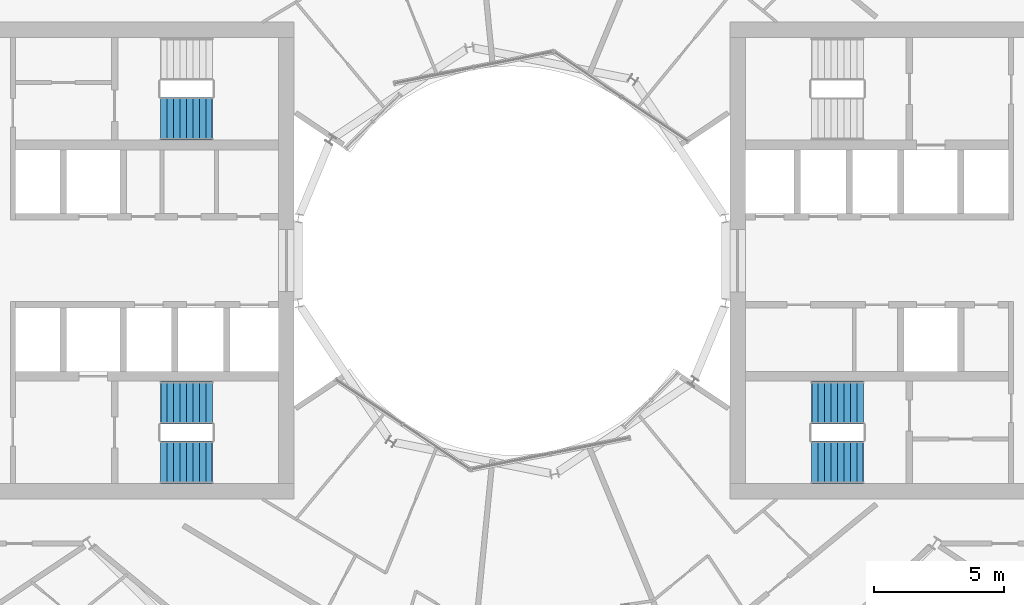
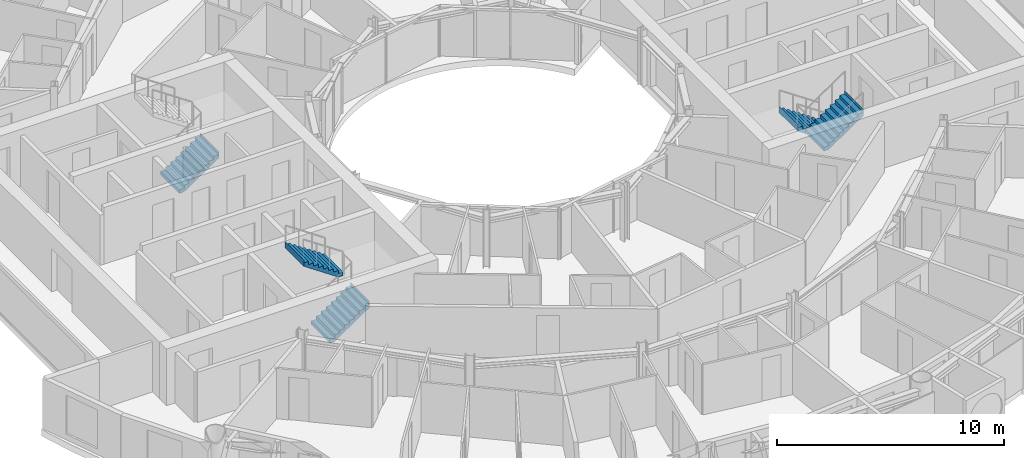
# One storey, part 25 of 28: 5 stair flights, 3 elements without a shape of their own.
"""IFC4 building model written with IfcOpenShell, lengths in metres."""

from ifc_helpers import new_model, si_unit, direction, frame, origin, place, context, subcontext, project, spatial, triangles, material, type_object, element, aggregate, save


model = new_model("IFC4")

# Units and contexts
model_context = context("Model", 3, precision=1e-05, world=origin(), true_north=direction((0.0, 1.0)))
body_context = subcontext(model_context, "Body", "Model", "MODEL_VIEW")
ifc_project = project(units=[si_unit("LENGTHUNIT", "METRE"), si_unit("AREAUNIT", "SQUARE_METRE"), si_unit("VOLUMEUNIT", "CUBIC_METRE"), si_unit("PLANEANGLEUNIT", "RADIAN"), si_unit("MASSUNIT", "GRAM", prefix="KILO")], contexts=[model_context])

# Site, building, storey
site_placement = place(None, origin())
site = spatial("IfcSite", under=ifc_project, at=site_placement, CompositionType="ELEMENT")
building_placement = place(site_placement, origin())
building = spatial("IfcBuilding", under=site, at=building_placement, Name="Maasbend Ring Residences", CompositionType="ELEMENT")
storey_placement = place(building_placement, frame((0.0, 0.0, 133.0)))
storey = spatial("IfcBuildingStorey", under=building, at=storey_placement, Name="L38", CompositionType="ELEMENT", Elevation=133.0)

# Stair, stair flights
ifc_material_1 = material(Name="Concrete C40/50", Category="concrete")
stair_type = type_object("IfcStairType", Name="CORE STAIR 18 RISERS", PredefinedType="HALF_TURN_STAIR", material=ifc_material_1)
stair_1_placement = place(storey_placement, origin())
stair_1 = element("IfcStair", 1, at=stair_1_placement, inside=storey, type_object=stair_type, Name="L38 Exit stair ST-E2", PredefinedType="HALF_TURN_STAIR")
ifc_material_2 = material(Name="Concrete C40/50", Category="concrete")
stair_flight_type = type_object("IfcStairFlightType", Name="CORE STAIR FLIGHT 1650", PredefinedType="STRAIGHT", material=ifc_material_2)
stair_flight_1_placement = place(storey_placement, frame((13.550048828125, -5.47509765625, 0.0), z_axis=(0.0, 0.0, 1.0), x_axis=(-1.0, 0.0, 0.0)))
stair_flight_1 = element("IfcStairFlight", 2, at=stair_flight_1_placement, type_object=stair_flight_type, Name="ST-E2 flight 1", NumberOfRisers=9, NumberOfTreads=8, PredefinedType="STRAIGHT", RiserHeight=0.169444444, TreadLength=0.25, context=body_context, shape_type="Tessellation", body=[
    triangles([(0.24072265625, 0.824951171875, -0.02001953125), (2.0029296875, 0.824951171875, 1.174560546875), (2.0029296875, 0.824951171875, 1.52490234375), (1.989990234375, 0.824951171875, 1.35546875), (1.75, 0.824951171875, 1.35546875), (1.75, 0.824951171875, 1.18603515625), (1.5, 0.824951171875, 1.18603515625), (1.5, 0.824951171875, 1.0166015625), (1.25, 0.824951171875, 1.0166015625), (1.25, 0.824951171875, 0.84716796875), (1.0, 0.824951171875, 0.84716796875), (1.0, 0.824951171875, 0.677734375), (0.75, 0.824951171875, 0.677734375), (0.75, 0.824951171875, 0.50830078125), (0.5, 0.824951171875, 0.50830078125), (0.5, 0.824951171875, 0.3388671875), (0.25, 0.824951171875, 0.3388671875), (0.25, 0.824951171875, 0.16943359375), (0.0, 0.824951171875, 0.16943359375), (0.0, 0.824951171875, 0.0), (-0.0029296875, 0.824951171875, 0.0), (-0.0029296875, 0.824951171875, -0.02001953125), (0.24072265625, 0.27490234375, -0.02001953125), (2.0029296875, 0.27490234375, 1.174560546875), (2.0029296875, 0.27490234375, 1.52490234375), (1.989990234375, 0.27490234375, 1.35546875), (1.75, 0.27490234375, 1.35546875), (1.75, 0.27490234375, 1.18603515625), (1.5, 0.27490234375, 1.18603515625), (1.5, 0.27490234375, 1.0166015625), (1.25, 0.27490234375, 1.0166015625), (1.25, 0.27490234375, 0.84716796875), (1.0, 0.27490234375, 0.84716796875), (1.0, 0.27490234375, 0.677734375), (0.75, 0.27490234375, 0.677734375), (0.75, 0.27490234375, 0.50830078125), (0.5, 0.27490234375, 0.50830078125), (0.5, 0.27490234375, 0.3388671875), (0.25, 0.27490234375, 0.3388671875), (0.25, 0.27490234375, 0.16943359375), (0.0, 0.27490234375, 0.16943359375), (0.0, 0.27490234375, 0.0), (-0.0029296875, 0.27490234375, 0.0), (-0.0029296875, 0.27490234375, -0.02001953125), (0.24072265625, -0.27490234375, -0.02001953125), (2.0029296875, -0.27490234375, 1.174560546875), (2.0029296875, -0.27490234375, 1.52490234375), (1.989990234375, -0.27490234375, 1.35546875), (1.75, -0.27490234375, 1.35546875), (1.75, -0.27490234375, 1.18603515625), (1.5, -0.27490234375, 1.18603515625), (1.5, -0.27490234375, 1.0166015625), (1.25, -0.27490234375, 1.0166015625), (1.25, -0.27490234375, 0.84716796875), (1.0, -0.27490234375, 0.84716796875), (1.0, -0.27490234375, 0.677734375), (0.75, -0.27490234375, 0.677734375), (0.75, -0.27490234375, 0.50830078125), (0.5, -0.27490234375, 0.50830078125), (0.5, -0.27490234375, 0.3388671875), (0.25, -0.27490234375, 0.3388671875), (0.25, -0.27490234375, 0.16943359375), (0.0, -0.27490234375, 0.16943359375), (0.0, -0.27490234375, 0.0), (-0.0029296875, -0.27490234375, 0.0), (-0.0029296875, -0.27490234375, -0.02001953125), (0.24072265625, -0.824951171875, -0.02001953125), (2.0029296875, -0.824951171875, 1.174560546875), (2.0029296875, -0.824951171875, 1.52490234375), (1.989990234375, -0.824951171875, 1.35546875), (1.75, -0.824951171875, 1.35546875), (1.75, -0.824951171875, 1.18603515625), (1.5, -0.824951171875, 1.18603515625), (1.5, -0.824951171875, 1.0166015625), (1.25, -0.824951171875, 1.0166015625), (1.25, -0.824951171875, 0.84716796875), (1.0, -0.824951171875, 0.84716796875), (1.0, -0.824951171875, 0.677734375), (0.75, -0.824951171875, 0.677734375), (0.75, -0.824951171875, 0.50830078125), (0.5, -0.824951171875, 0.50830078125), (0.5, -0.824951171875, 0.3388671875), (0.25, -0.824951171875, 0.3388671875), (0.25, -0.824951171875, 0.16943359375), (0.0, -0.824951171875, 0.16943359375), (0.0, -0.824951171875, 0.0), (-0.0029296875, -0.824951171875, 0.0), (-0.0029296875, -0.824951171875, -0.02001953125)], [[1, 2, 24], [1, 24, 23], [23, 24, 46], [23, 46, 45], [45, 46, 68], [45, 68, 67], [2, 3, 25], [2, 25, 24], [24, 25, 47], [24, 47, 46], [46, 47, 69], [46, 69, 68], [3, 4, 26], [3, 26, 25], [25, 26, 48], [25, 48, 47], [47, 48, 70], [47, 70, 69], [4, 5, 27], [4, 27, 26], [26, 27, 49], [26, 49, 48], [48, 49, 71], [48, 71, 70], [5, 6, 28], [5, 28, 27], [27, 28, 50], [27, 50, 49], [49, 50, 72], [49, 72, 71], [6, 7, 29], [6, 29, 28], [28, 29, 51], [28, 51, 50], [50, 51, 73], [50, 73, 72], [7, 8, 30], [7, 30, 29], [29, 30, 52], [29, 52, 51], [51, 52, 74], [51, 74, 73], [8, 9, 31], [8, 31, 30], [30, 31, 53], [30, 53, 52], [52, 53, 75], [52, 75, 74], [9, 10, 32], [9, 32, 31], [31, 32, 54], [31, 54, 53], [53, 54, 76], [53, 76, 75], [10, 11, 33], [10, 33, 32], [32, 33, 55], [32, 55, 54], [54, 55, 77], [54, 77, 76], [11, 12, 34], [11, 34, 33], [33, 34, 56], [33, 56, 55], [55, 56, 78], [55, 78, 77], [12, 13, 35], [12, 35, 34], [34, 35, 57], [34, 57, 56], [56, 57, 79], [56, 79, 78], [13, 14, 36], [13, 36, 35], [35, 36, 58], [35, 58, 57], [57, 58, 80], [57, 80, 79], [14, 15, 37], [14, 37, 36], [36, 37, 59], [36, 59, 58], [58, 59, 81], [58, 81, 80], [15, 16, 38], [15, 38, 37], [37, 38, 60], [37, 60, 59], [59, 60, 82], [59, 82, 81], [16, 17, 39], [16, 39, 38], [38, 39, 61], [38, 61, 60], [60, 61, 83], [60, 83, 82], [17, 18, 40], [17, 40, 39], [39, 40, 62], [39, 62, 61], [61, 62, 84], [61, 84, 83], [18, 19, 41], [18, 41, 40], [40, 41, 63], [40, 63, 62], [62, 63, 85], [62, 85, 84], [19, 20, 42], [19, 42, 41], [41, 42, 64], [41, 64, 63], [63, 64, 86], [63, 86, 85], [20, 21, 43], [20, 43, 42], [42, 43, 65], [42, 65, 64], [64, 65, 87], [64, 87, 86], [21, 22, 44], [21, 44, 43], [43, 44, 66], [43, 66, 65], [65, 66, 88], [65, 88, 87], [22, 1, 23], [22, 23, 44], [44, 23, 45], [44, 45, 66], [66, 45, 67], [66, 67, 88], [22, 2, 1], [2, 4, 3], [2, 5, 4], [2, 6, 5], [22, 6, 2], [6, 8, 7], [22, 8, 6], [8, 10, 9], [22, 10, 8], [10, 12, 11], [22, 12, 10], [12, 14, 13], [22, 14, 12], [14, 16, 15], [22, 16, 14], [16, 18, 17], [22, 18, 16], [18, 20, 19], [22, 20, 18], [20, 22, 21], [88, 67, 68], [68, 69, 70], [68, 70, 71], [68, 71, 72], [88, 68, 72], [72, 73, 74], [88, 72, 74], [74, 75, 76], [88, 74, 76], [76, 77, 78], [88, 76, 78], [78, 79, 80], [88, 78, 80], [80, 81, 82], [88, 80, 82], [82, 83, 84], [88, 82, 84], [84, 85, 86], [88, 84, 86], [86, 87, 88]], closed=True),
])
stair_flight_2_placement = place(storey_placement, frame((11.550048828125, -7.77490234375, 1.52490234375), z_axis=(0.0, 0.0, 1.0), x_axis=(1.0, 0.0, 0.0)))
stair_flight_2 = element("IfcStairFlight", 3, at=stair_flight_2_placement, type_object=stair_flight_type, Name="ST-E2 flight 2", NumberOfRisers=9, NumberOfTreads=8, PredefinedType="STRAIGHT", RiserHeight=0.169444444, TreadLength=0.25, context=body_context, shape_type="Tessellation", body=[
    triangles([(0.24072265625, 0.824951171875, -0.02001953125), (2.0029296875, 0.824951171875, 1.174560546875), (2.0029296875, 0.824951171875, 1.52490234375), (1.989990234375, 0.824951171875, 1.35546875), (1.75, 0.824951171875, 1.35546875), (1.75, 0.824951171875, 1.18603515625), (1.5, 0.824951171875, 1.18603515625), (1.5, 0.824951171875, 1.0166015625), (1.25, 0.824951171875, 1.0166015625), (1.25, 0.824951171875, 0.84716796875), (1.0, 0.824951171875, 0.84716796875), (1.0, 0.824951171875, 0.677734375), (0.75, 0.824951171875, 0.677734375), (0.75, 0.824951171875, 0.50830078125), (0.5, 0.824951171875, 0.50830078125), (0.5, 0.824951171875, 0.3388671875), (0.25, 0.824951171875, 0.3388671875), (0.25, 0.824951171875, 0.16943359375), (0.0, 0.824951171875, 0.16943359375), (0.0, 0.824951171875, 0.0), (-0.0029296875, 0.824951171875, 0.0), (-0.0029296875, 0.824951171875, -0.02001953125), (0.24072265625, 0.27490234375, -0.02001953125), (2.0029296875, 0.27490234375, 1.174560546875), (2.0029296875, 0.27490234375, 1.52490234375), (1.989990234375, 0.27490234375, 1.35546875), (1.75, 0.27490234375, 1.35546875), (1.75, 0.27490234375, 1.18603515625), (1.5, 0.27490234375, 1.18603515625), (1.5, 0.27490234375, 1.0166015625), (1.25, 0.27490234375, 1.0166015625), (1.25, 0.27490234375, 0.84716796875), (1.0, 0.27490234375, 0.84716796875), (1.0, 0.27490234375, 0.677734375), (0.75, 0.27490234375, 0.677734375), (0.75, 0.27490234375, 0.50830078125), (0.5, 0.27490234375, 0.50830078125), (0.5, 0.27490234375, 0.3388671875), (0.25, 0.27490234375, 0.3388671875), (0.25, 0.27490234375, 0.16943359375), (0.0, 0.27490234375, 0.16943359375), (0.0, 0.27490234375, 0.0), (-0.0029296875, 0.27490234375, 0.0), (-0.0029296875, 0.27490234375, -0.02001953125), (0.24072265625, -0.27490234375, -0.02001953125), (2.0029296875, -0.27490234375, 1.174560546875), (2.0029296875, -0.27490234375, 1.52490234375), (1.989990234375, -0.27490234375, 1.35546875), (1.75, -0.27490234375, 1.35546875), (1.75, -0.27490234375, 1.18603515625), (1.5, -0.27490234375, 1.18603515625), (1.5, -0.27490234375, 1.0166015625), (1.25, -0.27490234375, 1.0166015625), (1.25, -0.27490234375, 0.84716796875), (1.0, -0.27490234375, 0.84716796875), (1.0, -0.27490234375, 0.677734375), (0.75, -0.27490234375, 0.677734375), (0.75, -0.27490234375, 0.50830078125), (0.5, -0.27490234375, 0.50830078125), (0.5, -0.27490234375, 0.3388671875), (0.25, -0.27490234375, 0.3388671875), (0.25, -0.27490234375, 0.16943359375), (0.0, -0.27490234375, 0.16943359375), (0.0, -0.27490234375, 0.0), (-0.0029296875, -0.27490234375, 0.0), (-0.0029296875, -0.27490234375, -0.02001953125), (0.24072265625, -0.824951171875, -0.02001953125), (2.0029296875, -0.824951171875, 1.174560546875), (2.0029296875, -0.824951171875, 1.52490234375), (1.989990234375, -0.824951171875, 1.35546875), (1.75, -0.824951171875, 1.35546875), (1.75, -0.824951171875, 1.18603515625), (1.5, -0.824951171875, 1.18603515625), (1.5, -0.824951171875, 1.0166015625), (1.25, -0.824951171875, 1.0166015625), (1.25, -0.824951171875, 0.84716796875), (1.0, -0.824951171875, 0.84716796875), (1.0, -0.824951171875, 0.677734375), (0.75, -0.824951171875, 0.677734375), (0.75, -0.824951171875, 0.50830078125), (0.5, -0.824951171875, 0.50830078125), (0.5, -0.824951171875, 0.3388671875), (0.25, -0.824951171875, 0.3388671875), (0.25, -0.824951171875, 0.16943359375), (0.0, -0.824951171875, 0.16943359375), (0.0, -0.824951171875, 0.0), (-0.0029296875, -0.824951171875, 0.0), (-0.0029296875, -0.824951171875, -0.02001953125)], [[1, 2, 24], [1, 24, 23], [23, 24, 46], [23, 46, 45], [45, 46, 68], [45, 68, 67], [2, 3, 25], [2, 25, 24], [24, 25, 47], [24, 47, 46], [46, 47, 69], [46, 69, 68], [3, 4, 26], [3, 26, 25], [25, 26, 48], [25, 48, 47], [47, 48, 70], [47, 70, 69], [4, 5, 27], [4, 27, 26], [26, 27, 49], [26, 49, 48], [48, 49, 71], [48, 71, 70], [5, 6, 28], [5, 28, 27], [27, 28, 50], [27, 50, 49], [49, 50, 72], [49, 72, 71], [6, 7, 29], [6, 29, 28], [28, 29, 51], [28, 51, 50], [50, 51, 73], [50, 73, 72], [7, 8, 30], [7, 30, 29], [29, 30, 52], [29, 52, 51], [51, 52, 74], [51, 74, 73], [8, 9, 31], [8, 31, 30], [30, 31, 53], [30, 53, 52], [52, 53, 75], [52, 75, 74], [9, 10, 32], [9, 32, 31], [31, 32, 54], [31, 54, 53], [53, 54, 76], [53, 76, 75], [10, 11, 33], [10, 33, 32], [32, 33, 55], [32, 55, 54], [54, 55, 77], [54, 77, 76], [11, 12, 34], [11, 34, 33], [33, 34, 56], [33, 56, 55], [55, 56, 78], [55, 78, 77], [12, 13, 35], [12, 35, 34], [34, 35, 57], [34, 57, 56], [56, 57, 79], [56, 79, 78], [13, 14, 36], [13, 36, 35], [35, 36, 58], [35, 58, 57], [57, 58, 80], [57, 80, 79], [14, 15, 37], [14, 37, 36], [36, 37, 59], [36, 59, 58], [58, 59, 81], [58, 81, 80], [15, 16, 38], [15, 38, 37], [37, 38, 60], [37, 60, 59], [59, 60, 82], [59, 82, 81], [16, 17, 39], [16, 39, 38], [38, 39, 61], [38, 61, 60], [60, 61, 83], [60, 83, 82], [17, 18, 40], [17, 40, 39], [39, 40, 62], [39, 62, 61], [61, 62, 84], [61, 84, 83], [18, 19, 41], [18, 41, 40], [40, 41, 63], [40, 63, 62], [62, 63, 85], [62, 85, 84], [19, 20, 42], [19, 42, 41], [41, 42, 64], [41, 64, 63], [63, 64, 86], [63, 86, 85], [20, 21, 43], [20, 43, 42], [42, 43, 65], [42, 65, 64], [64, 65, 87], [64, 87, 86], [21, 22, 44], [21, 44, 43], [43, 44, 66], [43, 66, 65], [65, 66, 88], [65, 88, 87], [22, 1, 23], [22, 23, 44], [44, 23, 45], [44, 45, 66], [66, 45, 67], [66, 67, 88], [22, 2, 1], [2, 4, 3], [2, 5, 4], [2, 6, 5], [22, 6, 2], [6, 8, 7], [22, 8, 6], [8, 10, 9], [22, 10, 8], [10, 12, 11], [22, 12, 10], [12, 14, 13], [22, 14, 12], [14, 16, 15], [22, 16, 14], [16, 18, 17], [22, 18, 16], [18, 20, 19], [22, 20, 18], [20, 22, 21], [88, 67, 68], [68, 69, 70], [68, 70, 71], [68, 71, 72], [88, 68, 72], [72, 73, 74], [88, 72, 74], [74, 75, 76], [88, 74, 76], [76, 77, 78], [88, 76, 78], [78, 79, 80], [88, 78, 80], [80, 81, 82], [88, 80, 82], [82, 83, 84], [88, 82, 84], [84, 85, 86], [88, 84, 86], [86, 87, 88]], closed=True),
])
aggregate(stair_1, [stair_flight_1, stair_flight_2])

stair_2_placement = place(storey_placement, origin())
stair_2 = element("IfcStair", 4, at=stair_2_placement, inside=storey, type_object=stair_type, Name="L38 Exit stair ST-W1", PredefinedType="HALF_TURN_STAIR")
stair_flight_3_placement = place(storey_placement, frame((-13.550048828125, -7.77490234375, 0.0), z_axis=(0.0, 0.0, 1.0), x_axis=(1.0, 0.0, 0.0)))
stair_flight_3 = element("IfcStairFlight", 5, at=stair_flight_3_placement, type_object=stair_flight_type, Name="ST-W1 flight 1", NumberOfRisers=9, NumberOfTreads=8, PredefinedType="STRAIGHT", RiserHeight=0.169444444, TreadLength=0.25, context=body_context, shape_type="Tessellation", body=[
    triangles([(0.24072265625, 0.824951171875, -0.02001953125), (2.0029296875, 0.824951171875, 1.174560546875), (2.0029296875, 0.824951171875, 1.52490234375), (1.989990234375, 0.824951171875, 1.35546875), (1.75, 0.824951171875, 1.35546875), (1.75, 0.824951171875, 1.18603515625), (1.5, 0.824951171875, 1.18603515625), (1.5, 0.824951171875, 1.0166015625), (1.25, 0.824951171875, 1.0166015625), (1.25, 0.824951171875, 0.84716796875), (1.0, 0.824951171875, 0.84716796875), (1.0, 0.824951171875, 0.677734375), (0.75, 0.824951171875, 0.677734375), (0.75, 0.824951171875, 0.50830078125), (0.5, 0.824951171875, 0.50830078125), (0.5, 0.824951171875, 0.3388671875), (0.25, 0.824951171875, 0.3388671875), (0.25, 0.824951171875, 0.16943359375), (0.0, 0.824951171875, 0.16943359375), (0.0, 0.824951171875, 0.0), (-0.0029296875, 0.824951171875, 0.0), (-0.0029296875, 0.824951171875, -0.02001953125), (0.24072265625, 0.27490234375, -0.02001953125), (2.0029296875, 0.27490234375, 1.174560546875), (2.0029296875, 0.27490234375, 1.52490234375), (1.989990234375, 0.27490234375, 1.35546875), (1.75, 0.27490234375, 1.35546875), (1.75, 0.27490234375, 1.18603515625), (1.5, 0.27490234375, 1.18603515625), (1.5, 0.27490234375, 1.0166015625), (1.25, 0.27490234375, 1.0166015625), (1.25, 0.27490234375, 0.84716796875), (1.0, 0.27490234375, 0.84716796875), (1.0, 0.27490234375, 0.677734375), (0.75, 0.27490234375, 0.677734375), (0.75, 0.27490234375, 0.50830078125), (0.5, 0.27490234375, 0.50830078125), (0.5, 0.27490234375, 0.3388671875), (0.25, 0.27490234375, 0.3388671875), (0.25, 0.27490234375, 0.16943359375), (0.0, 0.27490234375, 0.16943359375), (0.0, 0.27490234375, 0.0), (-0.0029296875, 0.27490234375, 0.0), (-0.0029296875, 0.27490234375, -0.02001953125), (0.24072265625, -0.27490234375, -0.02001953125), (2.0029296875, -0.27490234375, 1.174560546875), (2.0029296875, -0.27490234375, 1.52490234375), (1.989990234375, -0.27490234375, 1.35546875), (1.75, -0.27490234375, 1.35546875), (1.75, -0.27490234375, 1.18603515625), (1.5, -0.27490234375, 1.18603515625), (1.5, -0.27490234375, 1.0166015625), (1.25, -0.27490234375, 1.0166015625), (1.25, -0.27490234375, 0.84716796875), (1.0, -0.27490234375, 0.84716796875), (1.0, -0.27490234375, 0.677734375), (0.75, -0.27490234375, 0.677734375), (0.75, -0.27490234375, 0.50830078125), (0.5, -0.27490234375, 0.50830078125), (0.5, -0.27490234375, 0.3388671875), (0.25, -0.27490234375, 0.3388671875), (0.25, -0.27490234375, 0.16943359375), (0.0, -0.27490234375, 0.16943359375), (0.0, -0.27490234375, 0.0), (-0.0029296875, -0.27490234375, 0.0), (-0.0029296875, -0.27490234375, -0.02001953125), (0.24072265625, -0.824951171875, -0.02001953125), (2.0029296875, -0.824951171875, 1.174560546875), (2.0029296875, -0.824951171875, 1.52490234375), (1.989990234375, -0.824951171875, 1.35546875), (1.75, -0.824951171875, 1.35546875), (1.75, -0.824951171875, 1.18603515625), (1.5, -0.824951171875, 1.18603515625), (1.5, -0.824951171875, 1.0166015625), (1.25, -0.824951171875, 1.0166015625), (1.25, -0.824951171875, 0.84716796875), (1.0, -0.824951171875, 0.84716796875), (1.0, -0.824951171875, 0.677734375), (0.75, -0.824951171875, 0.677734375), (0.75, -0.824951171875, 0.50830078125), (0.5, -0.824951171875, 0.50830078125), (0.5, -0.824951171875, 0.3388671875), (0.25, -0.824951171875, 0.3388671875), (0.25, -0.824951171875, 0.16943359375), (0.0, -0.824951171875, 0.16943359375), (0.0, -0.824951171875, 0.0), (-0.0029296875, -0.824951171875, 0.0), (-0.0029296875, -0.824951171875, -0.02001953125)], [[1, 2, 24], [1, 24, 23], [23, 24, 46], [23, 46, 45], [45, 46, 68], [45, 68, 67], [2, 3, 25], [2, 25, 24], [24, 25, 47], [24, 47, 46], [46, 47, 69], [46, 69, 68], [3, 4, 26], [3, 26, 25], [25, 26, 48], [25, 48, 47], [47, 48, 70], [47, 70, 69], [4, 5, 27], [4, 27, 26], [26, 27, 49], [26, 49, 48], [48, 49, 71], [48, 71, 70], [5, 6, 28], [5, 28, 27], [27, 28, 50], [27, 50, 49], [49, 50, 72], [49, 72, 71], [6, 7, 29], [6, 29, 28], [28, 29, 51], [28, 51, 50], [50, 51, 73], [50, 73, 72], [7, 8, 30], [7, 30, 29], [29, 30, 52], [29, 52, 51], [51, 52, 74], [51, 74, 73], [8, 9, 31], [8, 31, 30], [30, 31, 53], [30, 53, 52], [52, 53, 75], [52, 75, 74], [9, 10, 32], [9, 32, 31], [31, 32, 54], [31, 54, 53], [53, 54, 76], [53, 76, 75], [10, 11, 33], [10, 33, 32], [32, 33, 55], [32, 55, 54], [54, 55, 77], [54, 77, 76], [11, 12, 34], [11, 34, 33], [33, 34, 56], [33, 56, 55], [55, 56, 78], [55, 78, 77], [12, 13, 35], [12, 35, 34], [34, 35, 57], [34, 57, 56], [56, 57, 79], [56, 79, 78], [13, 14, 36], [13, 36, 35], [35, 36, 58], [35, 58, 57], [57, 58, 80], [57, 80, 79], [14, 15, 37], [14, 37, 36], [36, 37, 59], [36, 59, 58], [58, 59, 81], [58, 81, 80], [15, 16, 38], [15, 38, 37], [37, 38, 60], [37, 60, 59], [59, 60, 82], [59, 82, 81], [16, 17, 39], [16, 39, 38], [38, 39, 61], [38, 61, 60], [60, 61, 83], [60, 83, 82], [17, 18, 40], [17, 40, 39], [39, 40, 62], [39, 62, 61], [61, 62, 84], [61, 84, 83], [18, 19, 41], [18, 41, 40], [40, 41, 63], [40, 63, 62], [62, 63, 85], [62, 85, 84], [19, 20, 42], [19, 42, 41], [41, 42, 64], [41, 64, 63], [63, 64, 86], [63, 86, 85], [20, 21, 43], [20, 43, 42], [42, 43, 65], [42, 65, 64], [64, 65, 87], [64, 87, 86], [21, 22, 44], [21, 44, 43], [43, 44, 66], [43, 66, 65], [65, 66, 88], [65, 88, 87], [22, 1, 23], [22, 23, 44], [44, 23, 45], [44, 45, 66], [66, 45, 67], [66, 67, 88], [22, 2, 1], [2, 4, 3], [2, 5, 4], [2, 6, 5], [22, 6, 2], [6, 8, 7], [22, 8, 6], [8, 10, 9], [22, 10, 8], [10, 12, 11], [22, 12, 10], [12, 14, 13], [22, 14, 12], [14, 16, 15], [22, 16, 14], [16, 18, 17], [22, 18, 16], [18, 20, 19], [22, 20, 18], [20, 22, 21], [88, 67, 68], [68, 69, 70], [68, 70, 71], [68, 71, 72], [88, 68, 72], [72, 73, 74], [88, 72, 74], [74, 75, 76], [88, 74, 76], [76, 77, 78], [88, 76, 78], [78, 79, 80], [88, 78, 80], [80, 81, 82], [88, 80, 82], [82, 83, 84], [88, 82, 84], [84, 85, 86], [88, 84, 86], [86, 87, 88]], closed=True),
])
stair_flight_4_placement = place(storey_placement, frame((-11.550048828125, -5.47509765625, 1.52490234375), z_axis=(0.0, 0.0, 1.0), x_axis=(-1.0, 0.0, 0.0)))
stair_flight_4 = element("IfcStairFlight", 6, at=stair_flight_4_placement, type_object=stair_flight_type, Name="ST-W1 flight 2", NumberOfRisers=9, NumberOfTreads=8, PredefinedType="STRAIGHT", RiserHeight=0.169444444, TreadLength=0.25, context=body_context, shape_type="Tessellation", body=[
    triangles([(0.24072265625, 0.824951171875, -0.02001953125), (2.0029296875, 0.824951171875, 1.174560546875), (2.0029296875, 0.824951171875, 1.52490234375), (1.989990234375, 0.824951171875, 1.35546875), (1.75, 0.824951171875, 1.35546875), (1.75, 0.824951171875, 1.18603515625), (1.5, 0.824951171875, 1.18603515625), (1.5, 0.824951171875, 1.0166015625), (1.25, 0.824951171875, 1.0166015625), (1.25, 0.824951171875, 0.84716796875), (1.0, 0.824951171875, 0.84716796875), (1.0, 0.824951171875, 0.677734375), (0.75, 0.824951171875, 0.677734375), (0.75, 0.824951171875, 0.50830078125), (0.5, 0.824951171875, 0.50830078125), (0.5, 0.824951171875, 0.3388671875), (0.25, 0.824951171875, 0.3388671875), (0.25, 0.824951171875, 0.16943359375), (0.0, 0.824951171875, 0.16943359375), (0.0, 0.824951171875, 0.0), (-0.0029296875, 0.824951171875, 0.0), (-0.0029296875, 0.824951171875, -0.02001953125), (0.24072265625, 0.27490234375, -0.02001953125), (2.0029296875, 0.27490234375, 1.174560546875), (2.0029296875, 0.27490234375, 1.52490234375), (1.989990234375, 0.27490234375, 1.35546875), (1.75, 0.27490234375, 1.35546875), (1.75, 0.27490234375, 1.18603515625), (1.5, 0.27490234375, 1.18603515625), (1.5, 0.27490234375, 1.0166015625), (1.25, 0.27490234375, 1.0166015625), (1.25, 0.27490234375, 0.84716796875), (1.0, 0.27490234375, 0.84716796875), (1.0, 0.27490234375, 0.677734375), (0.75, 0.27490234375, 0.677734375), (0.75, 0.27490234375, 0.50830078125), (0.5, 0.27490234375, 0.50830078125), (0.5, 0.27490234375, 0.3388671875), (0.25, 0.27490234375, 0.3388671875), (0.25, 0.27490234375, 0.16943359375), (0.0, 0.27490234375, 0.16943359375), (0.0, 0.27490234375, 0.0), (-0.0029296875, 0.27490234375, 0.0), (-0.0029296875, 0.27490234375, -0.02001953125), (0.24072265625, -0.27490234375, -0.02001953125), (2.0029296875, -0.27490234375, 1.174560546875), (2.0029296875, -0.27490234375, 1.52490234375), (1.989990234375, -0.27490234375, 1.35546875), (1.75, -0.27490234375, 1.35546875), (1.75, -0.27490234375, 1.18603515625), (1.5, -0.27490234375, 1.18603515625), (1.5, -0.27490234375, 1.0166015625), (1.25, -0.27490234375, 1.0166015625), (1.25, -0.27490234375, 0.84716796875), (1.0, -0.27490234375, 0.84716796875), (1.0, -0.27490234375, 0.677734375), (0.75, -0.27490234375, 0.677734375), (0.75, -0.27490234375, 0.50830078125), (0.5, -0.27490234375, 0.50830078125), (0.5, -0.27490234375, 0.3388671875), (0.25, -0.27490234375, 0.3388671875), (0.25, -0.27490234375, 0.16943359375), (0.0, -0.27490234375, 0.16943359375), (0.0, -0.27490234375, 0.0), (-0.0029296875, -0.27490234375, 0.0), (-0.0029296875, -0.27490234375, -0.02001953125), (0.24072265625, -0.824951171875, -0.02001953125), (2.0029296875, -0.824951171875, 1.174560546875), (2.0029296875, -0.824951171875, 1.52490234375), (1.989990234375, -0.824951171875, 1.35546875), (1.75, -0.824951171875, 1.35546875), (1.75, -0.824951171875, 1.18603515625), (1.5, -0.824951171875, 1.18603515625), (1.5, -0.824951171875, 1.0166015625), (1.25, -0.824951171875, 1.0166015625), (1.25, -0.824951171875, 0.84716796875), (1.0, -0.824951171875, 0.84716796875), (1.0, -0.824951171875, 0.677734375), (0.75, -0.824951171875, 0.677734375), (0.75, -0.824951171875, 0.50830078125), (0.5, -0.824951171875, 0.50830078125), (0.5, -0.824951171875, 0.3388671875), (0.25, -0.824951171875, 0.3388671875), (0.25, -0.824951171875, 0.16943359375), (0.0, -0.824951171875, 0.16943359375), (0.0, -0.824951171875, 0.0), (-0.0029296875, -0.824951171875, 0.0), (-0.0029296875, -0.824951171875, -0.02001953125)], [[1, 2, 24], [1, 24, 23], [23, 24, 46], [23, 46, 45], [45, 46, 68], [45, 68, 67], [2, 3, 25], [2, 25, 24], [24, 25, 47], [24, 47, 46], [46, 47, 69], [46, 69, 68], [3, 4, 26], [3, 26, 25], [25, 26, 48], [25, 48, 47], [47, 48, 70], [47, 70, 69], [4, 5, 27], [4, 27, 26], [26, 27, 49], [26, 49, 48], [48, 49, 71], [48, 71, 70], [5, 6, 28], [5, 28, 27], [27, 28, 50], [27, 50, 49], [49, 50, 72], [49, 72, 71], [6, 7, 29], [6, 29, 28], [28, 29, 51], [28, 51, 50], [50, 51, 73], [50, 73, 72], [7, 8, 30], [7, 30, 29], [29, 30, 52], [29, 52, 51], [51, 52, 74], [51, 74, 73], [8, 9, 31], [8, 31, 30], [30, 31, 53], [30, 53, 52], [52, 53, 75], [52, 75, 74], [9, 10, 32], [9, 32, 31], [31, 32, 54], [31, 54, 53], [53, 54, 76], [53, 76, 75], [10, 11, 33], [10, 33, 32], [32, 33, 55], [32, 55, 54], [54, 55, 77], [54, 77, 76], [11, 12, 34], [11, 34, 33], [33, 34, 56], [33, 56, 55], [55, 56, 78], [55, 78, 77], [12, 13, 35], [12, 35, 34], [34, 35, 57], [34, 57, 56], [56, 57, 79], [56, 79, 78], [13, 14, 36], [13, 36, 35], [35, 36, 58], [35, 58, 57], [57, 58, 80], [57, 80, 79], [14, 15, 37], [14, 37, 36], [36, 37, 59], [36, 59, 58], [58, 59, 81], [58, 81, 80], [15, 16, 38], [15, 38, 37], [37, 38, 60], [37, 60, 59], [59, 60, 82], [59, 82, 81], [16, 17, 39], [16, 39, 38], [38, 39, 61], [38, 61, 60], [60, 61, 83], [60, 83, 82], [17, 18, 40], [17, 40, 39], [39, 40, 62], [39, 62, 61], [61, 62, 84], [61, 84, 83], [18, 19, 41], [18, 41, 40], [40, 41, 63], [40, 63, 62], [62, 63, 85], [62, 85, 84], [19, 20, 42], [19, 42, 41], [41, 42, 64], [41, 64, 63], [63, 64, 86], [63, 86, 85], [20, 21, 43], [20, 43, 42], [42, 43, 65], [42, 65, 64], [64, 65, 87], [64, 87, 86], [21, 22, 44], [21, 44, 43], [43, 44, 66], [43, 66, 65], [65, 66, 88], [65, 88, 87], [22, 1, 23], [22, 23, 44], [44, 23, 45], [44, 45, 66], [66, 45, 67], [66, 67, 88], [22, 2, 1], [2, 4, 3], [2, 5, 4], [2, 6, 5], [22, 6, 2], [6, 8, 7], [22, 8, 6], [8, 10, 9], [22, 10, 8], [10, 12, 11], [22, 12, 10], [12, 14, 13], [22, 14, 12], [14, 16, 15], [22, 16, 14], [16, 18, 17], [22, 18, 16], [18, 20, 19], [22, 20, 18], [20, 22, 21], [88, 67, 68], [68, 69, 70], [68, 70, 71], [68, 71, 72], [88, 68, 72], [72, 73, 74], [88, 72, 74], [74, 75, 76], [88, 74, 76], [76, 77, 78], [88, 76, 78], [78, 79, 80], [88, 78, 80], [80, 81, 82], [88, 80, 82], [82, 83, 84], [88, 82, 84], [84, 85, 86], [88, 84, 86], [86, 87, 88]], closed=True),
])
aggregate(stair_2, [stair_flight_3, stair_flight_4])

# Stair, stair flight
stair_3_placement = place(storey_placement, origin())
stair_3 = element("IfcStair", 7, at=stair_3_placement, inside=storey, type_object=stair_type, Name="L38 Exit stair ST-W2", PredefinedType="HALF_TURN_STAIR")
stair_flight_5_placement = place(storey_placement, frame((-13.550048828125, 5.47509765625, 0.0), z_axis=(0.0, 0.0, 1.0), x_axis=(1.0, 0.0, 0.0)))
stair_flight_5 = element("IfcStairFlight", 8, at=stair_flight_5_placement, type_object=stair_flight_type, Name="ST-W2 flight 1", NumberOfRisers=9, NumberOfTreads=8, PredefinedType="STRAIGHT", RiserHeight=0.169444444, TreadLength=0.25, context=body_context, shape_type="Tessellation", body=[
    triangles([(0.24072265625, 0.824951171875, -0.02001953125), (2.0029296875, 0.824951171875, 1.174560546875), (2.0029296875, 0.824951171875, 1.52490234375), (1.989990234375, 0.824951171875, 1.35546875), (1.75, 0.824951171875, 1.35546875), (1.75, 0.824951171875, 1.18603515625), (1.5, 0.824951171875, 1.18603515625), (1.5, 0.824951171875, 1.0166015625), (1.25, 0.824951171875, 1.0166015625), (1.25, 0.824951171875, 0.84716796875), (1.0, 0.824951171875, 0.84716796875), (1.0, 0.824951171875, 0.677734375), (0.75, 0.824951171875, 0.677734375), (0.75, 0.824951171875, 0.50830078125), (0.5, 0.824951171875, 0.50830078125), (0.5, 0.824951171875, 0.3388671875), (0.25, 0.824951171875, 0.3388671875), (0.25, 0.824951171875, 0.16943359375), (0.0, 0.824951171875, 0.16943359375), (0.0, 0.824951171875, 0.0), (-0.0029296875, 0.824951171875, 0.0), (-0.0029296875, 0.824951171875, -0.02001953125), (0.24072265625, 0.27490234375, -0.02001953125), (2.0029296875, 0.27490234375, 1.174560546875), (2.0029296875, 0.27490234375, 1.52490234375), (1.989990234375, 0.27490234375, 1.35546875), (1.75, 0.27490234375, 1.35546875), (1.75, 0.27490234375, 1.18603515625), (1.5, 0.27490234375, 1.18603515625), (1.5, 0.27490234375, 1.0166015625), (1.25, 0.27490234375, 1.0166015625), (1.25, 0.27490234375, 0.84716796875), (1.0, 0.27490234375, 0.84716796875), (1.0, 0.27490234375, 0.677734375), (0.75, 0.27490234375, 0.677734375), (0.75, 0.27490234375, 0.50830078125), (0.5, 0.27490234375, 0.50830078125), (0.5, 0.27490234375, 0.3388671875), (0.25, 0.27490234375, 0.3388671875), (0.25, 0.27490234375, 0.16943359375), (0.0, 0.27490234375, 0.16943359375), (0.0, 0.27490234375, 0.0), (-0.0029296875, 0.27490234375, 0.0), (-0.0029296875, 0.27490234375, -0.02001953125), (0.24072265625, -0.27490234375, -0.02001953125), (2.0029296875, -0.27490234375, 1.174560546875), (2.0029296875, -0.27490234375, 1.52490234375), (1.989990234375, -0.27490234375, 1.35546875), (1.75, -0.27490234375, 1.35546875), (1.75, -0.27490234375, 1.18603515625), (1.5, -0.27490234375, 1.18603515625), (1.5, -0.27490234375, 1.0166015625), (1.25, -0.27490234375, 1.0166015625), (1.25, -0.27490234375, 0.84716796875), (1.0, -0.27490234375, 0.84716796875), (1.0, -0.27490234375, 0.677734375), (0.75, -0.27490234375, 0.677734375), (0.75, -0.27490234375, 0.50830078125), (0.5, -0.27490234375, 0.50830078125), (0.5, -0.27490234375, 0.3388671875), (0.25, -0.27490234375, 0.3388671875), (0.25, -0.27490234375, 0.16943359375), (0.0, -0.27490234375, 0.16943359375), (0.0, -0.27490234375, 0.0), (-0.0029296875, -0.27490234375, 0.0), (-0.0029296875, -0.27490234375, -0.02001953125), (0.24072265625, -0.824951171875, -0.02001953125), (2.0029296875, -0.824951171875, 1.174560546875), (2.0029296875, -0.824951171875, 1.52490234375), (1.989990234375, -0.824951171875, 1.35546875), (1.75, -0.824951171875, 1.35546875), (1.75, -0.824951171875, 1.18603515625), (1.5, -0.824951171875, 1.18603515625), (1.5, -0.824951171875, 1.0166015625), (1.25, -0.824951171875, 1.0166015625), (1.25, -0.824951171875, 0.84716796875), (1.0, -0.824951171875, 0.84716796875), (1.0, -0.824951171875, 0.677734375), (0.75, -0.824951171875, 0.677734375), (0.75, -0.824951171875, 0.50830078125), (0.5, -0.824951171875, 0.50830078125), (0.5, -0.824951171875, 0.3388671875), (0.25, -0.824951171875, 0.3388671875), (0.25, -0.824951171875, 0.16943359375), (0.0, -0.824951171875, 0.16943359375), (0.0, -0.824951171875, 0.0), (-0.0029296875, -0.824951171875, 0.0), (-0.0029296875, -0.824951171875, -0.02001953125)], [[1, 2, 24], [1, 24, 23], [23, 24, 46], [23, 46, 45], [45, 46, 68], [45, 68, 67], [2, 3, 25], [2, 25, 24], [24, 25, 47], [24, 47, 46], [46, 47, 69], [46, 69, 68], [3, 4, 26], [3, 26, 25], [25, 26, 48], [25, 48, 47], [47, 48, 70], [47, 70, 69], [4, 5, 27], [4, 27, 26], [26, 27, 49], [26, 49, 48], [48, 49, 71], [48, 71, 70], [5, 6, 28], [5, 28, 27], [27, 28, 50], [27, 50, 49], [49, 50, 72], [49, 72, 71], [6, 7, 29], [6, 29, 28], [28, 29, 51], [28, 51, 50], [50, 51, 73], [50, 73, 72], [7, 8, 30], [7, 30, 29], [29, 30, 52], [29, 52, 51], [51, 52, 74], [51, 74, 73], [8, 9, 31], [8, 31, 30], [30, 31, 53], [30, 53, 52], [52, 53, 75], [52, 75, 74], [9, 10, 32], [9, 32, 31], [31, 32, 54], [31, 54, 53], [53, 54, 76], [53, 76, 75], [10, 11, 33], [10, 33, 32], [32, 33, 55], [32, 55, 54], [54, 55, 77], [54, 77, 76], [11, 12, 34], [11, 34, 33], [33, 34, 56], [33, 56, 55], [55, 56, 78], [55, 78, 77], [12, 13, 35], [12, 35, 34], [34, 35, 57], [34, 57, 56], [56, 57, 79], [56, 79, 78], [13, 14, 36], [13, 36, 35], [35, 36, 58], [35, 58, 57], [57, 58, 80], [57, 80, 79], [14, 15, 37], [14, 37, 36], [36, 37, 59], [36, 59, 58], [58, 59, 81], [58, 81, 80], [15, 16, 38], [15, 38, 37], [37, 38, 60], [37, 60, 59], [59, 60, 82], [59, 82, 81], [16, 17, 39], [16, 39, 38], [38, 39, 61], [38, 61, 60], [60, 61, 83], [60, 83, 82], [17, 18, 40], [17, 40, 39], [39, 40, 62], [39, 62, 61], [61, 62, 84], [61, 84, 83], [18, 19, 41], [18, 41, 40], [40, 41, 63], [40, 63, 62], [62, 63, 85], [62, 85, 84], [19, 20, 42], [19, 42, 41], [41, 42, 64], [41, 64, 63], [63, 64, 86], [63, 86, 85], [20, 21, 43], [20, 43, 42], [42, 43, 65], [42, 65, 64], [64, 65, 87], [64, 87, 86], [21, 22, 44], [21, 44, 43], [43, 44, 66], [43, 66, 65], [65, 66, 88], [65, 88, 87], [22, 1, 23], [22, 23, 44], [44, 23, 45], [44, 45, 66], [66, 45, 67], [66, 67, 88], [22, 2, 1], [2, 4, 3], [2, 5, 4], [2, 6, 5], [22, 6, 2], [6, 8, 7], [22, 8, 6], [8, 10, 9], [22, 10, 8], [10, 12, 11], [22, 12, 10], [12, 14, 13], [22, 14, 12], [14, 16, 15], [22, 16, 14], [16, 18, 17], [22, 18, 16], [18, 20, 19], [22, 20, 18], [20, 22, 21], [88, 67, 68], [68, 69, 70], [68, 70, 71], [68, 71, 72], [88, 68, 72], [72, 73, 74], [88, 72, 74], [74, 75, 76], [88, 74, 76], [76, 77, 78], [88, 76, 78], [78, 79, 80], [88, 78, 80], [80, 81, 82], [88, 80, 82], [82, 83, 84], [88, 82, 84], [84, 85, 86], [88, 84, 86], [86, 87, 88]], closed=True),
])
aggregate(stair_3, [stair_flight_5])

save(model, "model.ifc")
